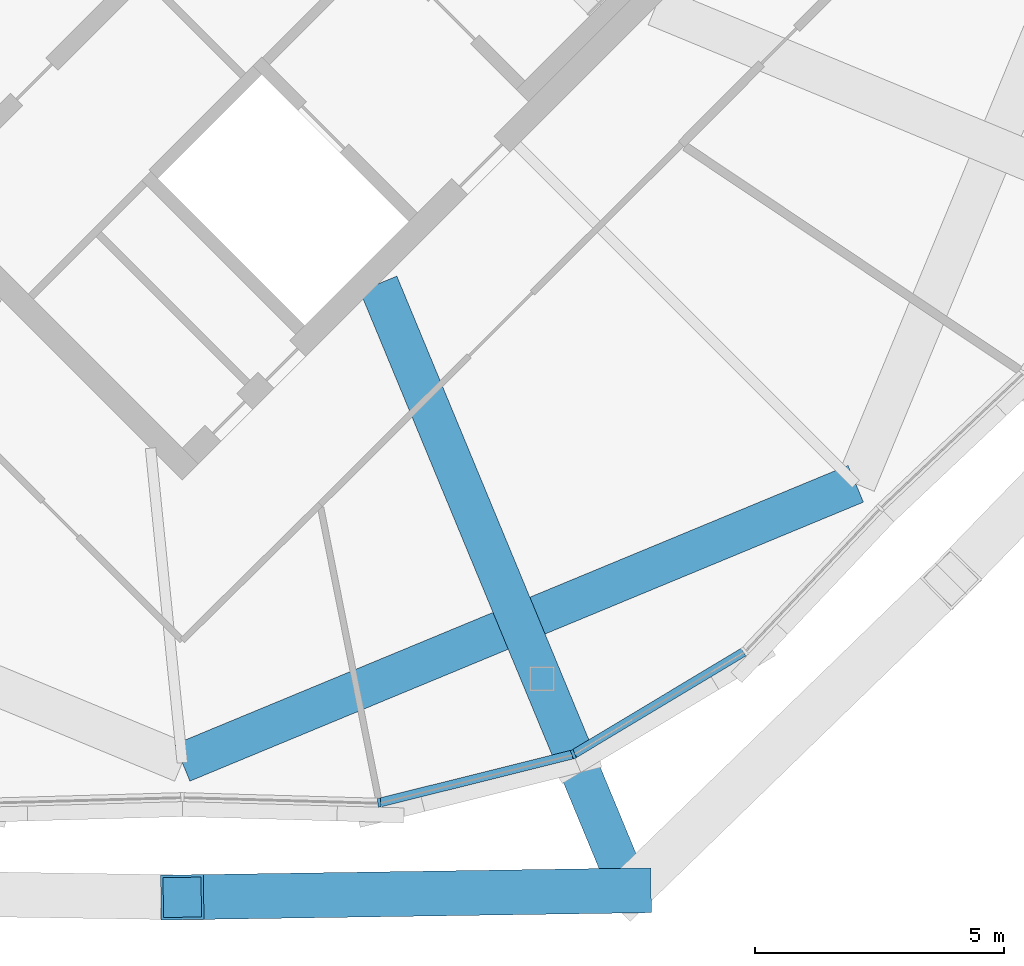
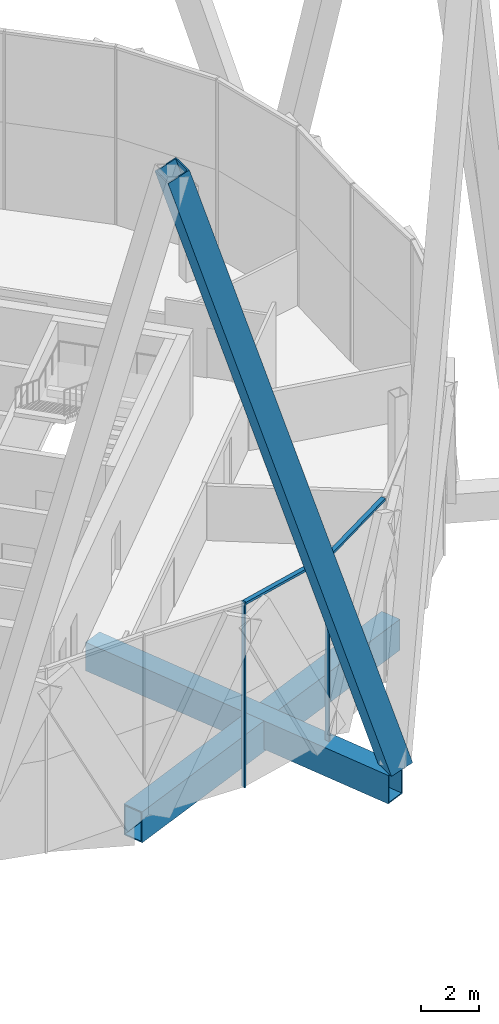
# One storey, part 28 of 53: 5 members, 2 beams, 1 element without a shape of its own.
"""IFC4 building model written with IfcOpenShell, lengths in metres."""

from ifc_helpers import new_model, si_unit, direction, frame, origin, origin_2d, place, context, subcontext, project, spatial, rectangle, hollow_rectangle, extrude, material, material_profile, profile_set, type_object, element, aggregate, save


model = new_model("IFC4")

# Units and contexts
model_context = context("Model", 3, precision=1e-05, world=origin(), true_north=direction((0.0, 1.0)))
body_context = subcontext(model_context, "Body", "Model", "MODEL_VIEW")
ifc_project = project(units=[si_unit("LENGTHUNIT", "METRE"), si_unit("AREAUNIT", "SQUARE_METRE"), si_unit("VOLUMEUNIT", "CUBIC_METRE"), si_unit("PLANEANGLEUNIT", "RADIAN"), si_unit("MASSUNIT", "GRAM", prefix="KILO")], contexts=[model_context])

# Site, building, storey
site_placement = place(None, origin())
site = spatial("IfcSite", under=ifc_project, at=site_placement, CompositionType="ELEMENT")
building_placement = place(site_placement, origin())
building = spatial("IfcBuilding", under=site, at=building_placement, Name="Ogive Gate Towers", CompositionType="ELEMENT")
storey_placement = place(building_placement, frame((0.0, 0.0, 240.60009765625)))
storey = spatial("IfcBuildingStorey", under=building, at=storey_placement, Name="L57", CompositionType="ELEMENT", Elevation=240.60009765625)

# Member
ifc_material_1 = material(Name="Steel SM460", Category="steel")
ifc_material_profile_1 = material_profile(ifc_material_1, hollow_rectangle(XDim=0.89990234375, YDim=0.89990234375, WallThickness=0.050048828125, at=origin_2d()), Name="BX 900x900x50")
ifc_profile_set_1 = profile_set([ifc_material_profile_1], Name="Steel SM460")
member_type_1 = type_object("IfcMemberType", Name="Diagrid diagonal BX 900x900x50", PredefinedType="BRACE", material=ifc_profile_set_1)
member_1_placement = place(storey_placement, frame((44.977783203125, -21.67431640625, 0.0), z_axis=(-0.303356073086, -0.00458667981, 0.952866231582), x_axis=(0.015118061019, -0.999885715585, 0.0)))
element("IfcMember", 1, at=member_1_placement, inside=storey, type_object=member_type_1, Name="T2/L57/SDG013", PredefinedType="BRACE", context=body_context, shape_type="SweptSolid", body=[
    extrude(hollow_rectangle(XDim=0.89990234375, YDim=0.89990234375, WallThickness=0.050048828125, at=origin_2d()), origin(), (0.0, 0.0, 1.0), 29.594970703125),
])

# Beam
ifc_material_profile_2 = material_profile(ifc_material_1, hollow_rectangle(XDim=0.800048828125, YDim=1.300048828125, WallThickness=0.050048828125, at=origin_2d()), Name="BX 1300x800x50")
ifc_profile_set_2 = profile_set([ifc_material_profile_2], Name="Steel SM460")
beam_type_1 = type_object("IfcBeamType", Name="Edge girder BX 1300x800x50", PredefinedType="BEAM", material=ifc_profile_set_2)
beam_1_placement = place(storey_placement, frame((36.0, -19.110107421875, -0.9501953125), z_axis=(0.923872994947, 0.38269921506, 0.0), x_axis=(-0.38269921506, 0.923872994947, 0.0)))
element("IfcBeam", 2, at=beam_1_placement, inside=storey, type_object=beam_type_1, Name="T2/L57/SBM018", PredefinedType="BEAM", context=body_context, shape_type="SweptSolid", body=[
    extrude(hollow_rectangle(XDim=0.800048828125, YDim=1.300048828125, WallThickness=0.050048828125, at=origin_2d()), origin(), (0.0, 0.0, 1.0), 14.626220703125),
])

# Curtain wall, members
ifc_material_2 = material(Name="Pale metal aluminium", Category="aluminium")
curtain_wall_type = type_object("IfcCurtainWallType", Name="Tower unitised wall, high zone", PredefinedType="NOTDEFINED", material=ifc_material_2)
curtain_wall_placement = place(storey_placement, origin())
curtain_wall = element("IfcCurtainWall", 3, at=curtain_wall_placement, inside=storey, type_object=curtain_wall_type, Name="CW2 T2 ECW07", PredefinedType="NOTDEFINED")
ifc_material_profile_3 = material_profile(ifc_material_2, rectangle(XDim=0.179931640625, YDim=0.06005859375, at=origin_2d()), Name="60 x 180 aluminium box")
ifc_profile_set_3 = profile_set([ifc_material_profile_3], Name="Pale metal aluminium")
member_type_2 = type_object("IfcMemberType", Name="Tower unitised wall, high zone mullion 60 x 180", PredefinedType="MULLION", material=ifc_profile_set_3)
member_2_placement = place(storey_placement, frame((39.95263671875, -19.912109375, -0.300048828125), z_axis=(0.0, 0.0, 1.0), x_axis=(0.107912599257, -0.994160384909, 0.0)))
member_2 = element("IfcMember", 4, at=member_2_placement, type_object=member_type_2, Name="CW2 mullion", PredefinedType="MULLION", context=body_context, shape_type="SweptSolid", body=[
    extrude(rectangle(XDim=0.179931640625, YDim=0.06005859375, at=origin_2d()), origin(), (0.0, 0.0, 1.0), 7.800048828125),
])
member_3_placement = place(storey_placement, frame((43.845458984375, -18.940673828125, -0.300048828125), z_axis=(0.0, 0.0, 1.0), x_axis=(0.382683432365, -0.923879532511, 0.0)))
member_3 = element("IfcMember", 5, at=member_3_placement, type_object=member_type_2, Name="CW2 mullion", PredefinedType="MULLION", context=body_context, shape_type="SweptSolid", body=[
    extrude(rectangle(XDim=0.179931640625, YDim=0.06005859375, at=origin_2d()), origin(), (0.0, 0.0, 1.0), 7.800048828125),
])
ifc_material_profile_4 = material_profile(ifc_material_2, rectangle(XDim=0.179931640625, YDim=0.10009765625, at=origin_2d()), Name="100 x 180 aluminium box")
ifc_profile_set_4 = profile_set([ifc_material_profile_4], Name="Pale metal aluminium")
member_type_3 = type_object("IfcMemberType", Name="Tower unitised wall, high zone transom 100 x 180", PredefinedType="USERDEFINED", material=ifc_profile_set_4)
member_4_placement = place(storey_placement, frame((39.98046875, -19.905029296875, 7.449951171875), z_axis=(0.970251335251, 0.24209986874, 0.0), x_axis=(-0.24209986874, 0.970251335251, 0.0)))
member_4 = element("IfcMember", 6, at=member_4_placement, type_object=member_type_3, Name="CW2 transom", ObjectType="TRANSOM", PredefinedType="USERDEFINED", context=body_context, shape_type="SweptSolid", body=[
    extrude(rectangle(XDim=0.179931640625, YDim=0.10009765625, at=origin_2d()), origin(), (0.0, 0.0, 1.0), 3.955078125),
])
member_5_placement = place(storey_placement, frame((43.869873046875, -18.92578125, 7.449951171875), z_axis=(0.857296782072, 0.51482252034, 0.0), x_axis=(-0.51482252034, 0.857296782072, 0.0)))
member_5 = element("IfcMember", 7, at=member_5_placement, type_object=member_type_3, Name="CW2 transom", ObjectType="TRANSOM", PredefinedType="USERDEFINED", context=body_context, shape_type="SweptSolid", body=[
    extrude(rectangle(XDim=0.179931640625, YDim=0.10009765625, at=origin_2d()), origin(), (0.0, 0.0, 1.0), 3.955078125),
])
aggregate(curtain_wall, [member_2, member_3, member_4, member_5])

# Beam
ifc_material_profile_5 = material_profile(ifc_material_1, hollow_rectangle(XDim=0.800048828125, YDim=1.199951171875, WallThickness=0.050048828125, at=origin_2d()), Name="BX 1200x800x50")
ifc_profile_set_5 = profile_set([ifc_material_profile_5], Name="Steel SM460")
beam_type_2 = type_object("IfcBeamType", Name="Transfer radial beam BX 1200x800x50", PredefinedType="BEAM", material=ifc_profile_set_5)
beam_2_placement = place(storey_placement, frame((39.93505859375, -9.5, -0.900146484375), z_axis=(0.382680688612, -0.923880669006, 0.0), x_axis=(0.923880669006, 0.382680688612, 0.0)))
element("IfcBeam", 8, at=beam_2_placement, inside=storey, type_object=beam_type_2, Name="T2/L57/SBM004", PredefinedType="BEAM", context=body_context, shape_type="SweptSolid", body=[
    extrude(hollow_rectangle(XDim=0.800048828125, YDim=1.199951171875, WallThickness=0.050048828125, at=origin_2d()), origin(), (0.0, 0.0, 1.0), 13.177490234375),
])

save(model, "model.ifc")
